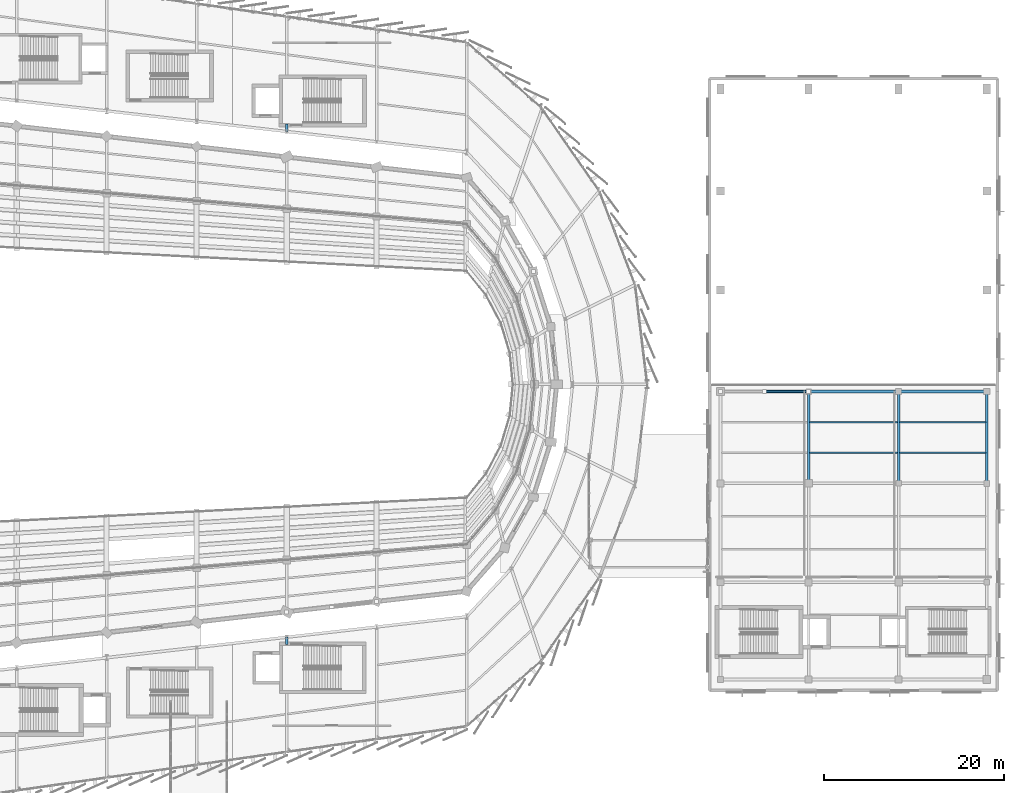
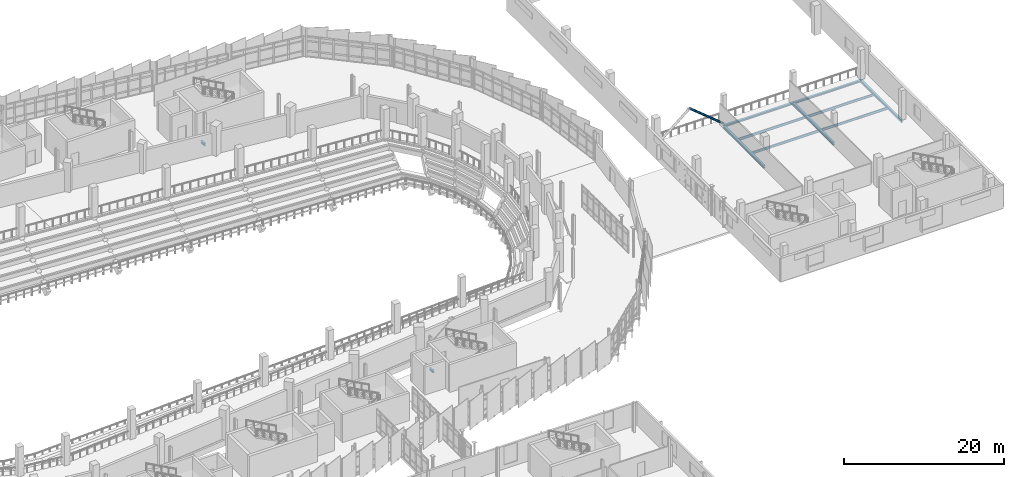
# One storey, part 81 of 134: 11 beams, 1 member.
"""IFC4 building model written with IfcOpenShell, lengths in metres."""

from ifc_helpers import new_model, si_unit, direction, frame, origin, origin_2d, place, context, subcontext, project, spatial, hollow_circle, i_section, extrude, material, material_profile, profile_set, type_object, element, save


model = new_model("IFC4")

# Units and contexts
model_context = context("Model", 3, precision=1e-05, world=origin(), true_north=direction((0.0, 1.0)))
body_context = subcontext(model_context, "Body", "Model", "MODEL_VIEW")
ifc_project = project(units=[si_unit("LENGTHUNIT", "METRE"), si_unit("AREAUNIT", "SQUARE_METRE"), si_unit("VOLUMEUNIT", "CUBIC_METRE"), si_unit("PLANEANGLEUNIT", "RADIAN"), si_unit("MASSUNIT", "GRAM", prefix="KILO")], contexts=[model_context])

# Site, building, storey
site_placement = place(None, origin())
site = spatial("IfcSite", under=ifc_project, at=site_placement, CompositionType="ELEMENT")
building_placement = place(site_placement, origin())
building = spatial("IfcBuilding", under=site, at=building_placement, Name="Sohan Crest Arena", CompositionType="ELEMENT")
storey_placement = place(building_placement, frame((0.0, 0.0, 4.5)))
storey = spatial("IfcBuildingStorey", under=building, at=storey_placement, Name="L01", CompositionType="ELEMENT", Elevation=4.5)

# Beams
ifc_material = material(Name="Steel S355", Category="steel")
ifc_material_profile_1 = material_profile(ifc_material, i_section(OverallWidth=0.169921875, OverallDepth=0.360107421875, WebThickness=0.008056640625, FlangeThickness=0.0126953125, at=origin_2d()), Name="IPE 360")
ifc_profile_set_1 = profile_set([ifc_material_profile_1], Name="Steel S355")
beam_type_1 = type_object("IfcBeamType", Name="STR-BM-B02", PredefinedType="JOIST", material=ifc_profile_set_1)
for number, where, z_axis, x_axis, name in (
    (1, (206.110107421875, 70.39990234375, -0.409912109375), (1.0, 0.0, 0.0), (0.0, 1.0, 0.0), "Structural beam J-L01-2296"),
    (2, (206.110107421875, 73.800048828125, -0.409912109375), (1.0, 0.0, 0.0), (0.0, 1.0, 0.0), "Structural beam J-L01-2297"),
):
    element("IfcBeam", number, at=place(storey_placement, frame(where, z_axis=z_axis, x_axis=x_axis)), inside=storey, type_object=beam_type_1, Name=name, PredefinedType="JOIST", context=body_context, shape_type="SweptSolid", body=[
        extrude(i_section(OverallWidth=0.169921875, OverallDepth=0.360107421875, WebThickness=0.008056640625, FlangeThickness=0.0126953125, at=origin_2d()), origin(), (0.0, 0.0, 1.0), 9.77978515625),
    ])
for number, where, z_axis, x_axis, name in (
    (3, (216.110107421875, 70.39990234375, -0.409912109375), (1.0, 0.0, 0.0), (0.0, 1.0, 0.0), "Structural beam J-L01-2299"),
    (4, (216.110107421875, 73.800048828125, -0.409912109375), (1.0, 0.0, 0.0), (0.0, 1.0, 0.0), "Structural beam J-L01-2300"),
):
    element("IfcBeam", number, at=place(storey_placement, frame(where, z_axis=z_axis, x_axis=x_axis)), inside=storey, type_object=beam_type_1, Name=name, PredefinedType="JOIST", context=body_context, shape_type="SweptSolid", body=[
        extrude(i_section(OverallWidth=0.169921875, OverallDepth=0.360107421875, WebThickness=0.008056640625, FlangeThickness=0.0126953125, at=origin_2d()), origin(), (0.0, 0.0, 1.0), 9.579833984375),
    ])
ifc_material_profile_2 = material_profile(ifc_material, i_section(OverallWidth=0.300048828125, OverallDepth=0.2900390625, WebThickness=0.008544921875, FlangeThickness=0.013916015625, at=origin_2d()), Name="HEA 300")
ifc_profile_set_2 = profile_set([ifc_material_profile_2], Name="Steel S355")
beam_type_2 = type_object("IfcBeamType", Name="STR-BM-B08", PredefinedType="BEAM", material=ifc_profile_set_2)
beam_1_placement = place(storey_placement, frame((206.0, 77.199951171875, -0.375), z_axis=(1.0, 0.0, 0.0), x_axis=(0.0, 1.0, 0.0)))
element("IfcBeam", 5, at=beam_1_placement, inside=storey, type_object=beam_type_2, Name="Structural beam G-L01-2302", PredefinedType="BEAM", context=body_context, shape_type="SweptSolid", body=[
    extrude(i_section(OverallWidth=0.300048828125, OverallDepth=0.2900390625, WebThickness=0.008544921875, FlangeThickness=0.013916015625, at=origin_2d()), origin(), (0.0, 0.0, 1.0), 10.0),
])
beam_2_placement = place(storey_placement, frame((216.0, 77.199951171875, -0.375), z_axis=(1.0, 0.0, 0.0), x_axis=(0.0, 1.0, 0.0)))
element("IfcBeam", 6, at=beam_2_placement, inside=storey, type_object=beam_type_2, Name="Structural beam G-L01-2303", PredefinedType="BEAM", context=body_context, shape_type="SweptSolid", body=[
    extrude(i_section(OverallWidth=0.300048828125, OverallDepth=0.2900390625, WebThickness=0.008544921875, FlangeThickness=0.013916015625, at=origin_2d()), origin(), (0.0, 0.0, 1.0), 9.800048828125),
])
ifc_material_profile_3 = material_profile(ifc_material, i_section(OverallWidth=0.300048828125, OverallDepth=0.389892578125, WebThickness=0.010986328125, FlangeThickness=0.01904296875, at=origin_2d()), Name="HEA 400")
ifc_profile_set_3 = profile_set([ifc_material_profile_3], Name="Steel S355")
beam_type_3 = type_object("IfcBeamType", Name="STR-BM-B09", PredefinedType="BEAM", material=ifc_profile_set_3)
for number, where, z_axis, x_axis, name in (
    (7, (206.0, 67.0, -0.425048828125), (0.0, 1.0, 0.0), (-1.0, 0.0, 0.0), "Structural beam G-L01-2270"),
    (8, (216.0, 67.0, -0.425048828125), (0.0, 1.0, 0.0), (-1.0, 0.0, 0.0), "Structural beam G-L01-2273"),
    (9, (225.800048828125, 67.0, -0.425048828125), (0.0, 1.0, 0.0), (-1.0, 0.0, 0.0), "Structural beam G-L01-2277"),
):
    element("IfcBeam", number, at=place(storey_placement, frame(where, z_axis=z_axis, x_axis=x_axis)), inside=storey, type_object=beam_type_3, Name=name, PredefinedType="BEAM", context=body_context, shape_type="SweptSolid", body=[
        extrude(i_section(OverallWidth=0.300048828125, OverallDepth=0.389892578125, WebThickness=0.010986328125, FlangeThickness=0.01904296875, at=origin_2d()), origin(), (0.0, 0.0, 1.0), 10.199951171875),
    ])
ifc_material_profile_4 = material_profile(ifc_material, i_section(OverallWidth=0.300048828125, OverallDepth=0.300048828125, WebThickness=0.010986328125, FlangeThickness=0.01904296875, at=origin_2d()), Name="HEB 300")
ifc_profile_set_4 = profile_set([ifc_material_profile_4], Name="Steel S355")
beam_type_4 = type_object("IfcBeamType", Name="STR-BM-B12", PredefinedType="BEAM", material=ifc_profile_set_4)
for number, where, z_axis, x_axis, name in (
    (10, (148.0, 49.9140625, -0.425048828125), (0.0, -1.0, 0.0), (1.0, 0.0, 0.0), "Structural beam G-L01-1162"),
    (11, (148.0, 106.0859375, -0.425048828125), (0.0, 1.0, 0.0), (-1.0, 0.0, 0.0), "Structural beam G-L01-1221"),
):
    element("IfcBeam", number, at=place(storey_placement, frame(where, z_axis=z_axis, x_axis=x_axis)), inside=storey, type_object=beam_type_4, Name=name, PredefinedType="BEAM", context=body_context, shape_type="SweptSolid", body=[
        extrude(i_section(OverallWidth=0.300048828125, OverallDepth=0.300048828125, WebThickness=0.010986328125, FlangeThickness=0.01904296875, at=origin_2d()), origin(), (0.0, 0.0, 1.0), 0.833984375),
    ])

# Member
ifc_material_profile_5 = material_profile(ifc_material, hollow_circle(Radius=0.161865234375, WallThickness=0.012451171875, at=origin_2d()), Name="CHS 323.9x12.5")
ifc_profile_set_5 = profile_set([ifc_material_profile_5], Name="Steel S355")
member_type = type_object("IfcMemberType", Name="STR-MEM-BR03", PredefinedType="BRACE", material=ifc_profile_set_5)
member_placement = place(storey_placement, frame((206.0, 77.199951171875, 0.0), z_axis=(-0.773105336173, 0.0, 0.634277651491), x_axis=(0.0, -1.0, 0.0)))
element("IfcMember", 12, at=member_placement, inside=storey, type_object=member_type, Name="Practice hall chevron brace BR-038", PredefinedType="BRACE", context=body_context, shape_type="SweptSolid", body=[
    extrude(hollow_circle(Radius=0.161865234375, WallThickness=0.012451171875, at=origin_2d()), origin(), (0.0, 0.0, 1.0), 6.337890625),
])

save(model, "model.ifc")
